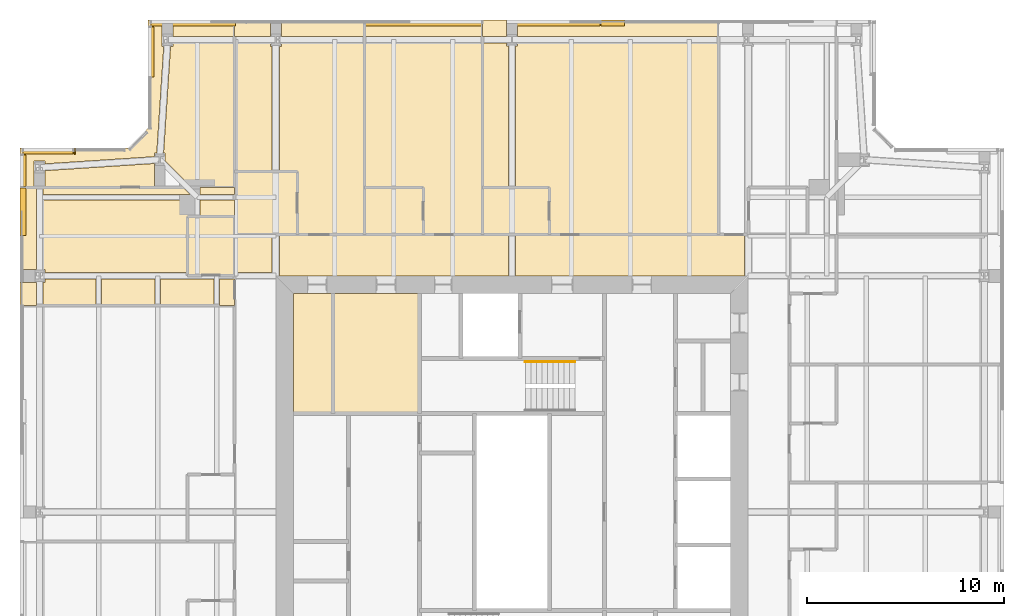
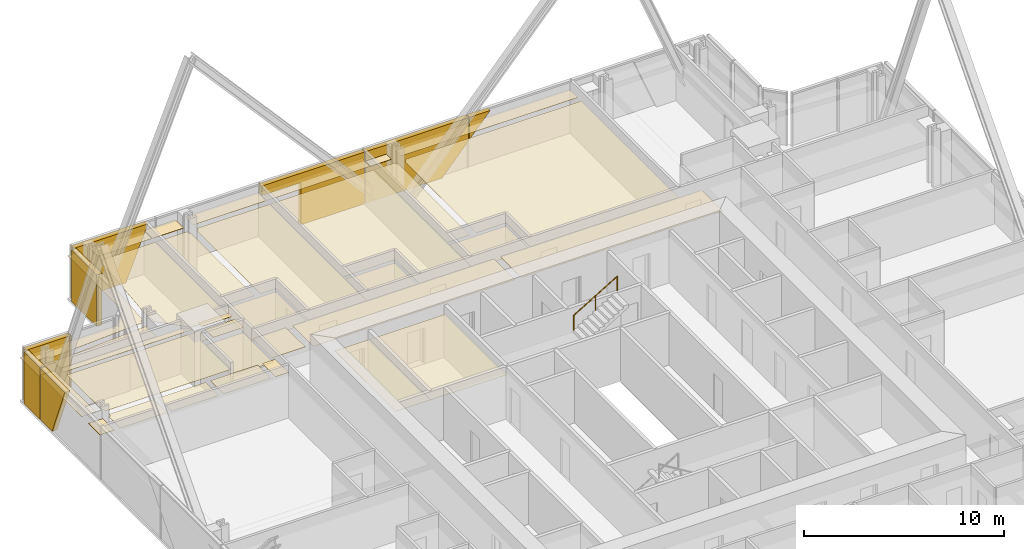
# One storey, part 19 of 20: 42 coverings, 1 railing.
"""IFC4 building model written with IfcOpenShell, lengths in metres."""

import ifcopenshell
import ifcopenshell.guid

model = None  # the IFC model being written
_history = None  # IfcOwnerHistory: only IFC2X3 demands one
_inside = {}  # id of a spatial element -> (the spatial element, [elements in it])
_under = {}  # id of a project, library or spatial element -> (it, [spatial elements below it])
_declared = {}  # id of a project -> (the project, [libraries it declares])
_typed = {}  # id of a type object -> (the type object, [elements of that type])
_made_of = {}  # id of a material, layer set ... -> (it, [elements and type objects made of it])


def new_model(schema):
    """Start an empty IFC model of exactly this schema.

    Asked for "IFC4X3", IfcOpenShell would pick the latest addendum, in which some entities
    have other attributes; the version numbers below select the first issue.
    IFC2X3 requires an IfcOwnerHistory on every rooted entity: one is made here for all.
    """
    global model, _history
    if schema == "IFC4X3":
        model = ifcopenshell.file(schema_version=(4, 3, 0, 0))
    else:
        model = ifcopenshell.file(schema=schema)
    _inside.clear()
    _under.clear()
    _declared.clear()
    _typed.clear()
    _made_of.clear()
    _history = None
    if model.schema == "IFC2X3":
        org = make("IfcOrganization", Name="unknown")
        user = make(
            "IfcPersonAndOrganization",
            ThePerson=make("IfcPerson", FamilyName="unknown"),
            TheOrganization=org,
        )
        app = make(
            "IfcApplication",
            ApplicationDeveloper=org,
            Version="unknown",
            ApplicationFullName="unknown",
            ApplicationIdentifier="unknown",
        )
        _history = make(
            "IfcOwnerHistory",
            OwningUser=user,
            OwningApplication=app,
            ChangeAction="ADDED",
            CreationDate=0,
        )
    return model


def make(cls, **values):
    """One entity of the class cls with the attributes given. An attribute that is None is left unset."""
    return model.create_entity(
        cls, **{name: value for name, value in values.items() if value is not None}
    )


def rooted(cls, **values):
    """An entity with a GlobalId (a new one), such as an element, a storey or a relation."""
    return make(cls, GlobalId=ifcopenshell.guid.new(), OwnerHistory=_history, **values)


def si_unit(unit_type, name, prefix=None):
    """IfcSIUnit, for example si_unit("LENGTHUNIT", "METRE", prefix="MILLI")."""
    return make("IfcSIUnit", UnitType=unit_type, Prefix=prefix, Name=name)


def assignment(units):
    """IfcUnitAssignment: the units of a project."""
    return None if units is None else make("IfcUnitAssignment", Units=units)


def point(xyz):
    """IfcCartesianPoint."""
    return None if xyz is None else make("IfcCartesianPoint", Coordinates=xyz)


def direction(xyz):
    """IfcDirection."""
    return None if xyz is None else make("IfcDirection", DirectionRatios=xyz)


def frame(location, z_axis=None, x_axis=None):
    """IfcAxis2Placement3D, a coordinate frame: its origin and axes. An axis left out is left unset."""
    return make(
        "IfcAxis2Placement3D",
        Location=point(location),
        Axis=direction(z_axis),
        RefDirection=direction(x_axis),
    )


def frame_2d(location, x_axis=None):
    """IfcAxis2Placement2D, a coordinate frame in the plane: its origin and x axis."""
    return make(
        "IfcAxis2Placement2D", Location=point(location), RefDirection=direction(x_axis)
    )


def origin():
    """The frame at (0, 0, 0) with its axes left unset."""
    return frame((0.0, 0.0, 0.0))


def origin_2d():
    """The frame at (0, 0) in the plane with its x axis left unset."""
    return frame_2d((0.0, 0.0))


def place(relative_to, where):
    """IfcLocalPlacement: puts the frame where relative to a parent placement (None: the world)."""
    return make(
        "IfcLocalPlacement", PlacementRelTo=relative_to, RelativePlacement=where
    )


def context(
    kind, dimensions, precision=None, world=None, true_north=None, identifier=None
):
    """IfcGeometricRepresentationContext, for example the 3D "Model" context."""
    return make(
        "IfcGeometricRepresentationContext",
        ContextIdentifier=identifier,
        ContextType=kind,
        CoordinateSpaceDimension=dimensions,
        Precision=precision,
        WorldCoordinateSystem=world,
        TrueNorth=true_north,
    )


def subcontext(parent, identifier, kind, view, scale=None):
    """IfcGeometricRepresentationSubContext, for example "Body" below "Model"."""
    return make(
        "IfcGeometricRepresentationSubContext",
        ContextIdentifier=identifier,
        ContextType=kind,
        ParentContext=parent,
        TargetScale=scale,
        TargetView=view,
    )


def project(units=None, contexts=None):
    """IfcProject with its units and contexts."""
    return rooted(
        "IfcProject",
        Name="project",
        RepresentationContexts=contexts,
        UnitsInContext=assignment(units),
    )


def spatial(cls, under=None, at=None, **own):
    """A site, building, storey or space (cls), placed at a placement, below another one or the project."""
    s = rooted(cls, ObjectPlacement=at, **own)
    if under is not None:
        _under.setdefault(under.id(), (under, []))[1].append(s)
    return s


def polyline(points):
    """IfcPolyline through the points."""
    return make("IfcPolyline", Points=[point(p) for p in points])


def profile(cls, at=None, kind="AREA", **sizes):
    """A parametric profile (cls). Its sizes go by their IFC names, for example OverallWidth=200.0."""
    return make(cls, ProfileType=kind, Position=at, **sizes)


def circle(**sizes):
    """IfcCircleProfileDef."""
    return profile("IfcCircleProfileDef", **sizes)


def outline(outer, holes=None, kind="AREA"):
    """IfcArbitraryClosedProfileDef: a profile drawn as a closed curve; with holes, ...WithVoids."""
    if holes is None:
        return make("IfcArbitraryClosedProfileDef", ProfileType=kind, OuterCurve=outer)
    return make(
        "IfcArbitraryProfileDefWithVoids",
        ProfileType=kind,
        OuterCurve=outer,
        InnerCurves=holes,
    )


def extrude(swept, where, along, depth):
    """IfcExtrudedAreaSolid: the profile swept, set in the frame where, extruded along a direction by depth."""
    return make(
        "IfcExtrudedAreaSolid",
        SweptArea=swept,
        Position=where,
        ExtrudedDirection=direction(along),
        Depth=depth,
    )


def shape(context_of_items, identifier, shape_type, items):
    """IfcShapeRepresentation: the items that make up one representation, for example the "Body"."""
    return make(
        "IfcShapeRepresentation",
        ContextOfItems=context_of_items,
        RepresentationIdentifier=identifier,
        RepresentationType=shape_type,
        Items=items,
    )


def material(Name=None, Category=None):
    """IfcMaterial."""
    return make("IfcMaterial", Name=Name, Category=Category)


def layer(
    of_material, thickness, ventilated=None, Name=None, Category=None, Priority=None
):
    """IfcMaterialLayer: one layer of a wall or slab, of a material (None: an air gap)."""
    return make(
        "IfcMaterialLayer",
        Material=of_material,
        LayerThickness=thickness,
        IsVentilated=ventilated,
        Name=Name,
        Category=Category,
        Priority=Priority,
    )


def layer_set(layers, Name=None):
    """IfcMaterialLayerSet."""
    return make("IfcMaterialLayerSet", MaterialLayers=layers, LayerSetName=Name)


def made_of(thing, what):
    """Note that an element or type object is made of a material, layer set ...; save() writes the relation."""
    if what is not None:
        _made_of.setdefault(what.id(), (what, []))[1].append(thing)
    return thing


def type_object(cls, material=None, **own):
    """A type object (cls), such as IfcWallType, which elements share."""
    return made_of(rooted(cls, **own), material)


def element(
    cls,
    number,
    at=None,
    inside=None,
    cuts=None,
    type_object=None,
    material=None,
    context=None,
    identifier="Body",
    shape_type=None,
    held_by="IfcProductDefinitionShape",
    body=None,
    shapes=None,
    **own,
):
    """One element of the class cls, such as IfcWall. Its Tag is "e" and its number.

    at: its placement. inside: the storey or other place that contains it. cuts: it is an
    opening in that element (IfcRelVoidsElement). A single representation is given by context,
    identifier, shape_type and body (its items); several are given by shapes. held_by: the class
    of the entity that holds the representations. save() writes the other relations.
    """
    e = rooted(cls, Tag="e%d" % number, ObjectPlacement=at, **own)
    if body is not None:
        shapes = [shape(context, identifier, shape_type, body)]
    if shapes is not None:
        e.Representation = make(held_by, Representations=shapes)
    if inside is not None:
        _inside.setdefault(inside.id(), (inside, []))[1].append(e)
    if cuts is not None:
        rooted(
            "IfcRelVoidsElement", RelatingBuildingElement=cuts, RelatedOpeningElement=e
        )
    if type_object is not None:
        _typed.setdefault(type_object.id(), (type_object, []))[1].append(e)
    return made_of(e, material)


def aggregate(whole, parts):
    """IfcRelAggregates: a whole, such as a stair, and the parts it consists of."""
    return rooted("IfcRelAggregates", RelatingObject=whole, RelatedObjects=parts)


def save(model, path):
    """Write the relations noted so far, then the file.

    IfcRelAggregates (storeys below a building ...), IfcRelContainedInSpatialStructure (elements
    in a storey), IfcRelDefinesByType, IfcRelAssociatesMaterial and IfcRelDeclares: one each for
    every whole, place, type object, material and project.
    """
    for whole, parts in _under.values():
        aggregate(whole, parts)
    for where, things in _inside.values():
        rooted(
            "IfcRelContainedInSpatialStructure",
            RelatedElements=things,
            RelatingStructure=where,
        )
    for kind, things in _typed.values():
        rooted("IfcRelDefinesByType", RelatedObjects=things, RelatingType=kind)
    for what, things in _made_of.values():
        rooted("IfcRelAssociatesMaterial", RelatedObjects=things, RelatingMaterial=what)
    for by, libraries in _declared.values():
        rooted("IfcRelDeclares", RelatingContext=by, RelatedDefinitions=libraries)
    model.write(path)


model = new_model("IFC4")

# Units and contexts
model_context = context("Model", 3, precision=1e-05, world=origin(), true_north=direction((0.0, 1.0)))
body_context = subcontext(model_context, "Body", "Model", "MODEL_VIEW")
ifc_project = project(units=[si_unit("LENGTHUNIT", "METRE"), si_unit("AREAUNIT", "SQUARE_METRE"), si_unit("VOLUMEUNIT", "CUBIC_METRE"), si_unit("PLANEANGLEUNIT", "RADIAN"), si_unit("MASSUNIT", "GRAM", prefix="KILO")], contexts=[model_context])

# Site, building, storey
site_placement = place(None, origin())
site = spatial("IfcSite", under=ifc_project, at=site_placement, CompositionType="ELEMENT")
building_placement = place(site_placement, origin())
building = spatial("IfcBuilding", under=site, at=building_placement, Name="Fenwick Lantern Interchange", CompositionType="ELEMENT")
storey_placement = place(building_placement, frame((0.0, 0.0, 256.0)))
storey = spatial("IfcBuildingStorey", under=building, at=storey_placement, Name="L60", CompositionType="ELEMENT", Elevation=256.0)

# Coverings
ifc_material_1 = material(Name="Granite cladding, warm grey flamed finish, on aluminium carrier frame", Category="masonry")
ifc_layer_1 = layer(ifc_material_1, 0.300048828125)
ifc_layer_set_1 = layer_set([ifc_layer_1], Name="BRACE CASING PANEL 300")
covering_type_1 = type_object("IfcCoveringType", Name="BRACE CASING PANEL 300", PredefinedType="CLADDING", material=ifc_layer_set_1)
covering_1_placement = place(storey_placement, frame((43.39990234375, 49.89990234375, 1.807373046875), z_axis=(0.0, 0.0, 1.0), x_axis=(-1.0, 0.0, 0.0)))
element("IfcCovering", 1, at=covering_1_placement, inside=storey, type_object=covering_type_1, Name="Brace casing 09 bay 02a", PredefinedType="CLADDING", context=body_context, shape_type="SweptSolid", body=[
    extrude(outline(polyline([(13.8701171875, 0.0), (13.8701171875, 1.342529296875), (12.685302734375, 1.342529296875), (13.8701171875, 0.0)])), frame((0.0, 0.2099609375, 0.0), z_axis=(0.0, -1.0, 0.0), x_axis=(1.0, 0.0, 0.0)), (0.0, 0.0, 1.0), 0.300048828125),
])
covering_2_placement = place(storey_placement, frame((43.39990234375, 49.89990234375, 0.0), z_axis=(0.0, 0.0, 1.0), x_axis=(-1.0, 0.0, 0.0)))
element("IfcCovering", 2, at=covering_2_placement, inside=storey, type_object=covering_type_1, Name="Brace casing 09 bay 03a", PredefinedType="CLADDING", context=body_context, shape_type="SweptSolid", body=[
    extrude(outline(polyline([(15.46484375, 0.0), (19.8701171875, 0.0), (19.8701171875, 3.14990234375), (13.929931640625, 3.14990234375), (13.929931640625, 1.739501953125), (15.46484375, 0.0)])), frame((0.0, 0.2099609375, 0.0), z_axis=(0.0, -1.0, 0.0), x_axis=(1.0, 0.0, 0.0)), (0.0, 0.0, 1.0), 0.300048828125),
])
covering_3_placement = place(storey_placement, frame((43.39990234375, 49.89990234375, 0.0), z_axis=(0.0, 0.0, 1.0), x_axis=(-1.0, 0.0, 0.0)))
element("IfcCovering", 3, at=covering_3_placement, inside=storey, type_object=covering_type_1, Name="Brace casing 09 bay 04a", PredefinedType="CLADDING", context=body_context, shape_type="SweptSolid", body=[
    extrude(outline(polyline([(19.929931640625, 0.0), (23.60009765625, 0.0), (23.60009765625, 2.56689453125), (25.8701171875, 2.56689453125), (25.8701171875, 3.14990234375), (19.929931640625, 3.14990234375), (19.929931640625, 0.0)])), frame((0.0, 0.2099609375, 0.0), z_axis=(0.0, -1.0, 0.0), x_axis=(1.0, 0.0, 0.0)), (0.0, 0.0, 1.0), 0.300048828125),
])
covering_4_placement = place(storey_placement, frame((43.39990234375, 49.89990234375, 0.0), z_axis=(0.0, 0.0, 1.0), x_axis=(-1.0, 0.0, 0.0)))
element("IfcCovering", 4, at=covering_4_placement, inside=storey, type_object=covering_type_1, Name="Brace casing 09 bay 06a", PredefinedType="CLADDING", context=body_context, shape_type="SweptSolid", body=[
    extrude(outline(polyline([(33.71337890625, 0.0), (36.739990234375, 0.0), (36.739990234375, 3.14990234375), (32.439453125, 3.14990234375), (33.71337890625, 0.0)])), frame((0.0, 0.2099609375, 0.0), z_axis=(0.0, -1.0, 0.0), x_axis=(1.0, 0.0, 0.0)), (0.0, 0.0, 1.0), 0.300048828125),
])
covering_5_placement = place(storey_placement, frame((6.60009765625, 49.89990234375, 0.0), z_axis=(0.0, 0.0, 1.0), x_axis=(0.0, -1.0, 0.0)))
element("IfcCovering", 5, at=covering_5_placement, inside=storey, type_object=covering_type_1, Name="Brace casing 10 bay 00a", PredefinedType="CLADDING", context=body_context, shape_type="SweptSolid", body=[
    extrude(outline(polyline([(0.260009765625, 0.0), (2.790771484375, 0.0), (2.790771484375, 3.14990234375), (0.260009765625, 3.14990234375), (0.260009765625, 0.0)])), frame((0.0, 0.2099609375, 0.0), z_axis=(0.0, -1.0, 0.0), x_axis=(1.0, 0.0, 0.0)), (0.0, 0.0, 1.0), 0.300048828125),
])
covering_6_placement = place(storey_placement, frame((5.54150390625, 43.39990234375, 0.0), z_axis=(0.0, 0.0, 1.0), x_axis=(-1.0, 0.0, 0.0)))
element("IfcCovering", 6, at=covering_6_placement, inside=storey, type_object=covering_type_1, Name="Brace casing 12 bay 00a", PredefinedType="CLADDING", context=body_context, shape_type="SweptSolid", body=[
    extrude(outline(polyline([(2.741455078125, 0.0), (2.790771484375, 0.0), (2.790771484375, 3.14990234375), (2.741455078125, 3.14990234375), (2.741455078125, 0.0)])), frame((0.0, 0.2099609375, 0.0), z_axis=(0.0, -1.0, 0.0), x_axis=(1.0, 0.0, 0.0)), (0.0, 0.0, 1.0), 0.300048828125),
])
covering_7_placement = place(storey_placement, frame((5.54150390625, 43.39990234375, 0.0), z_axis=(0.0, 0.0, 1.0), x_axis=(-1.0, 0.0, 0.0)))
element("IfcCovering", 7, at=covering_7_placement, inside=storey, type_object=covering_type_1, Name="Brace casing 12 bay 01a", PredefinedType="CLADDING", context=body_context, shape_type="SweptSolid", body=[
    extrude(outline(polyline([(2.850830078125, 0.0), (5.38134765625, 0.0), (5.38134765625, 3.14990234375), (2.850830078125, 3.14990234375), (2.850830078125, 0.0)])), frame((0.0, 0.2099609375, 0.0), z_axis=(0.0, -1.0, 0.0), x_axis=(1.0, 0.0, 0.0)), (0.0, 0.0, 1.0), 0.300048828125),
])
covering_8_placement = place(storey_placement, frame((0.10009765625, 43.39990234375, 0.0), z_axis=(0.0, 0.0, 1.0), x_axis=(0.0, -1.0, 0.0)))
element("IfcCovering", 8, at=covering_8_placement, inside=storey, type_object=covering_type_1, Name="Brace casing 13 bay 00a", PredefinedType="CLADDING", context=body_context, shape_type="SweptSolid", body=[
    extrude(outline(polyline([(0.260009765625, 0.0), (1.8701171875, 0.0), (1.8701171875, 3.14990234375), (0.260009765625, 3.14990234375), (0.260009765625, 0.0)])), frame((0.0, 0.2099609375, 0.0), z_axis=(0.0, -1.0, 0.0), x_axis=(1.0, 0.0, 0.0)), (0.0, 0.0, 1.0), 0.300048828125),
])
covering_9_placement = place(storey_placement, frame((0.10009765625, 43.39990234375, 0.0), z_axis=(0.0, 0.0, 1.0), x_axis=(0.0, -1.0, 0.0)))
element("IfcCovering", 9, at=covering_9_placement, inside=storey, type_object=covering_type_1, Name="Brace casing 13 bay 01a", PredefinedType="CLADDING", context=body_context, shape_type="SweptSolid", body=[
    extrude(outline(polyline([(1.929931640625, 0.0), (3.086669921875, 0.0), (4.360595703125, 3.14990234375), (1.929931640625, 3.14990234375), (1.929931640625, 0.0)])), frame((0.0, 0.2099609375, 0.0), z_axis=(0.0, -1.0, 0.0), x_axis=(1.0, 0.0, 0.0)), (0.0, 0.0, 1.0), 0.300048828125),
])

# Railing
ifc_material_2 = material(Name="Stainless steel handrail", Category="steel")
railing_type = type_object("IfcRailingType", Name="HANDRAIL 900", PredefinedType="HANDRAIL", material=ifc_material_2)
railing_placement = place(storey_placement, frame((25.679931640625, 32.6259765625, 1.8701171875)))
element("IfcRailing", 10, at=railing_placement, inside=storey, type_object=railing_type, Name="L60/STAIR/ST2/HR2", PredefinedType="HANDRAIL", context=body_context, shape_type="SweptSolid", body=[
    extrude(circle(Radius=0.02392578125, at=origin_2d()), frame((0.0, 0.0, 0.8759765625), z_axis=(0.854821627497, 0.0, 0.518921945155), x_axis=(0.0, 1.0, 0.0)), (0.0, 0.0, 1.0), 2.947998046875),
    extrude(circle(Radius=0.02099609375, at=origin_2d()), origin(), (0.0, 0.0, 1.0), 0.851806640625),
    extrude(circle(Radius=0.02099609375, at=origin_2d()), frame((1.260009765625, 0.0, 0.764892578125)), (0.0, 0.0, 1.0), 0.851806640625),
    extrude(circle(Radius=0.02099609375, at=origin_2d()), frame((2.52001953125, 0.0, 1.52978515625)), (0.0, 0.0, 1.0), 0.851806640625),
])

# Coverings
ifc_material_3 = material(Name="Moisture resistant gypsum board on suspended frame, painted")
ifc_layer_2 = layer(ifc_material_3, 0.014892578125)
ifc_layer_set_2 = layer_set([ifc_layer_2], Name="MOISTURE RESISTANT CEILING 15")
covering_type_2 = type_object("IfcCoveringType", Name="MOISTURE RESISTANT CEILING 15", PredefinedType="CEILING", material=ifc_layer_set_2)
covering_10_placement = place(storey_placement, frame((0.0, 0.0, 2.60009765625)))
element("IfcCovering", 11, at=covering_10_placement, inside=storey, type_object=covering_type_2, Name="Women's WC ceiling", PredefinedType="CEILING", context=body_context, shape_type="SweptSolid", body=[
    extrude(outline(polyline([(20.300048828125, 36.10009765625), (15.89990234375, 36.10009765625), (15.89990234375, 30.0), (20.300048828125, 30.0), (20.300048828125, 36.10009765625)])), origin(), (0.0, 0.0, 1.0), 0.014892578125),
])
covering_11_placement = place(storey_placement, frame((0.0, 0.0, 2.60009765625)))
element("IfcCovering", 12, at=covering_11_placement, inside=storey, type_object=covering_type_2, Name="Men's WC ceiling", PredefinedType="CEILING", context=body_context, shape_type="SweptSolid", body=[
    extrude(outline(polyline([(15.89990234375, 36.10009765625), (13.89990234375, 36.10009765625), (13.89990234375, 30.0), (15.89990234375, 30.0), (15.89990234375, 36.10009765625)])), origin(), (0.0, 0.0, 1.0), 0.014892578125),
])
covering_12_placement = place(storey_placement, frame((0.0, 0.0, 2.39990234375)))
element("IfcCovering", 13, at=covering_12_placement, inside=storey, type_object=covering_type_2, Name="En-suite 6010 ceiling", PredefinedType="CEILING", context=body_context, shape_type="SweptSolid", body=[
    extrude(outline(polyline([(26.89990234375, 41.5), (23.5, 41.5), (23.5, 39.10009765625), (26.89990234375, 39.10009765625), (26.89990234375, 41.5)])), origin(), (0.0, 0.0, 1.0), 0.01513671875),
])
covering_13_placement = place(storey_placement, frame((0.0, 0.0, 2.39990234375)))
element("IfcCovering", 14, at=covering_13_placement, inside=storey, type_object=covering_type_2, Name="En-suite 6011 ceiling", PredefinedType="CEILING", context=body_context, shape_type="SweptSolid", body=[
    extrude(outline(polyline([(20.5, 41.5), (17.5, 41.5), (17.5, 39.10009765625), (20.5, 39.10009765625), (20.5, 41.5)])), origin(), (0.0, 0.0, 1.0), 0.01513671875),
])
covering_14_placement = place(storey_placement, frame((0.0, 0.0, 2.39990234375)))
element("IfcCovering", 15, at=covering_14_placement, inside=storey, type_object=covering_type_2, Name="En-suite 6012 ceiling", PredefinedType="CEILING", context=body_context, shape_type="SweptSolid", body=[
    extrude(outline(polyline([(14.10009765625, 42.300048828125), (10.89990234375, 42.300048828125), (10.89990234375, 39.10009765625), (14.10009765625, 39.10009765625), (14.10009765625, 42.300048828125)])), origin(), (0.0, 0.0, 1.0), 0.01513671875),
])
covering_15_placement = place(storey_placement, frame((0.0, 0.0, 2.39990234375)))
element("IfcCovering", 16, at=covering_15_placement, inside=storey, type_object=covering_type_2, Name="En-suite 6013 ceiling", PredefinedType="CEILING", context=body_context, shape_type="SweptSolid", body=[
    extrude(outline(polyline([(8.5, 40.02490234375), (8.5, 37.02490234375), (10.89990234375, 37.02490234375), (10.89990234375, 40.02490234375), (8.5, 40.02490234375)])), origin(), (0.0, 0.0, 1.0), 0.01513671875),
])
ifc_material_4 = material(Name="Gypsum plasterboard on suspended frame, painted")
ifc_layer_3 = layer(ifc_material_4, 0.014892578125)
ifc_layer_set_3 = layer_set([ifc_layer_3], Name="PLASTERBOARD CEILING 15")
covering_type_3 = type_object("IfcCoveringType", Name="PLASTERBOARD CEILING 15", PredefinedType="CEILING", material=ifc_layer_set_3)
covering_16_placement = place(storey_placement, frame((0.0, 0.0, 2.57275390625)))
element("IfcCovering", 17, at=covering_16_placement, inside=storey, type_object=covering_type_3, Name="Corridor ceiling", PredefinedType="CEILING", context=body_context, shape_type="SweptSolid", body=[
    extrude(outline(polyline([(24.816162109375, 39.10009765625), (13.183837890625, 39.10009765625), (13.183837890625, 37.0), (24.816162109375, 37.0), (24.816162109375, 39.10009765625)])), origin(), (0.0, 0.0, 1.0), 0.01513671875),
])
covering_17_placement = place(storey_placement, frame((0.0, 0.0, 2.57275390625)))
element("IfcCovering", 18, at=covering_17_placement, inside=storey, type_object=covering_type_3, Name="Corridor ceiling", PredefinedType="CEILING", context=body_context, shape_type="SweptSolid", body=[
    extrude(outline(polyline([(36.816162109375, 39.10009765625), (25.183837890625, 39.10009765625), (25.183837890625, 37.0), (36.816162109375, 37.0), (36.816162109375, 39.10009765625)])), origin(), (0.0, 0.0, 1.0), 0.01513671875),
])
covering_18_placement = place(storey_placement, frame((0.0, 0.0, 2.57275390625)))
element("IfcCovering", 19, at=covering_18_placement, inside=storey, type_object=covering_type_3, Name="Corridor ceiling", PredefinedType="CEILING", context=body_context, shape_type="SweptSolid", body=[
    extrude(outline(polyline([(12.816162109375, 39.10009765625), (10.89990234375, 39.10009765625), (10.89990234375, 37.166015625), (12.816162109375, 37.166015625), (12.816162109375, 39.10009765625)])), origin(), (0.0, 0.0, 1.0), 0.01513671875),
])
covering_19_placement = place(storey_placement, frame((0.0, 0.0, 2.57275390625)))
element("IfcCovering", 20, at=covering_19_placement, inside=storey, type_object=covering_type_3, Name="Guest suite 6010 ceiling", PredefinedType="CEILING", context=body_context, shape_type="SweptSolid", body=[
    extrude(outline(polyline([(25.27099609375, 48.6845703125), (25.183837890625, 48.6845703125), (25.183837890625, 41.5), (26.89990234375, 41.5), (26.89990234375, 39.10009765625), (35.5, 39.10009765625), (35.5, 48.82763671875), (25.27099609375, 48.82763671875), (25.27099609375, 48.6845703125)])), origin(), (0.0, 0.0, 1.0), 0.01513671875),
])
covering_20_placement = place(storey_placement, frame((0.0, 0.0, 2.57275390625)))
element("IfcCovering", 21, at=covering_20_placement, inside=storey, type_object=covering_type_3, Name="Guest suite 6010 ceiling", PredefinedType="CEILING", context=body_context, shape_type="SweptSolid", body=[
    extrude(outline(polyline([(24.72900390625, 48.6845703125), (24.72900390625, 48.82763671875), (23.5, 48.82763671875), (23.5, 41.5), (24.816162109375, 41.5), (24.816162109375, 48.6845703125), (24.72900390625, 48.6845703125)])), origin(), (0.0, 0.0, 1.0), 0.01513671875),
])
covering_21_placement = place(storey_placement, frame((0.0, 0.0, 2.57275390625)))
element("IfcCovering", 22, at=covering_21_placement, inside=storey, type_object=covering_type_3, Name="Guest suite 6010 ceiling", PredefinedType="CEILING", context=body_context, shape_type="SweptSolid", body=[
    extrude(outline(polyline([(25.27099609375, 50.0), (25.27099609375, 49.17236328125), (35.5, 49.17236328125), (35.5, 50.0), (25.27099609375, 50.0)])), origin(), (0.0, 0.0, 1.0), 0.01513671875),
])
covering_22_placement = place(storey_placement, frame((0.0, 0.0, 2.57275390625)))
element("IfcCovering", 23, at=covering_22_placement, inside=storey, type_object=covering_type_3, Name="Guest suite 6010 ceiling", PredefinedType="CEILING", context=body_context, shape_type="SweptSolid", body=[
    extrude(outline(polyline([(24.72900390625, 49.17236328125), (24.72900390625, 50.0), (23.5, 50.0), (23.5, 49.17236328125), (24.72900390625, 49.17236328125)])), origin(), (0.0, 0.0, 1.0), 0.01513671875),
])
covering_23_placement = place(storey_placement, frame((0.0, 0.0, 2.57275390625)))
element("IfcCovering", 24, at=covering_23_placement, inside=storey, type_object=covering_type_3, Name="Guest room 6011 ceiling", PredefinedType="CEILING", context=body_context, shape_type="SweptSolid", body=[
    extrude(outline(polyline([(23.5, 39.10009765625), (23.5, 48.82763671875), (17.5, 48.82763671875), (17.5, 41.5), (20.5, 41.5), (20.5, 39.10009765625), (23.5, 39.10009765625)])), origin(), (0.0, 0.0, 1.0), 0.01513671875),
])
covering_24_placement = place(storey_placement, frame((0.0, 0.0, 2.57275390625)))
element("IfcCovering", 25, at=covering_24_placement, inside=storey, type_object=covering_type_3, Name="Guest room 6011 ceiling", PredefinedType="CEILING", context=body_context, shape_type="SweptSolid", body=[
    extrude(outline(polyline([(23.5, 50.0), (17.5, 50.0), (17.5, 49.17236328125), (23.5, 49.17236328125), (23.5, 50.0)])), origin(), (0.0, 0.0, 1.0), 0.01513671875),
])
covering_25_placement = place(storey_placement, frame((0.0, 0.0, 2.57275390625)))
element("IfcCovering", 26, at=covering_25_placement, inside=storey, type_object=covering_type_3, Name="Guest room 6012 ceiling", PredefinedType="CEILING", context=body_context, shape_type="SweptSolid", body=[
    extrude(outline(polyline([(13.27734375, 48.66552734375), (13.183837890625, 48.66552734375), (13.183837890625, 42.300048828125), (14.10009765625, 42.300048828125), (14.10009765625, 39.10009765625), (17.5, 39.10009765625), (17.5, 48.82763671875), (13.27734375, 48.82763671875), (13.27734375, 48.66552734375)])), origin(), (0.0, 0.0, 1.0), 0.01513671875),
])
covering_26_placement = place(storey_placement, frame((0.0, 0.0, 2.57275390625)))
element("IfcCovering", 27, at=covering_26_placement, inside=storey, type_object=covering_type_3, Name="Guest room 6012 ceiling", PredefinedType="CEILING", context=body_context, shape_type="SweptSolid", body=[
    extrude(outline(polyline([(12.72265625, 48.66552734375), (12.72265625, 48.82763671875), (10.89990234375, 48.82763671875), (10.89990234375, 42.300048828125), (12.816162109375, 42.300048828125), (12.816162109375, 48.66552734375), (12.72265625, 48.66552734375)])), origin(), (0.0, 0.0, 1.0), 0.01513671875),
])
covering_27_placement = place(storey_placement, frame((0.0, 0.0, 2.57275390625)))
element("IfcCovering", 28, at=covering_27_placement, inside=storey, type_object=covering_type_3, Name="Guest room 6012 ceiling", PredefinedType="CEILING", context=body_context, shape_type="SweptSolid", body=[
    extrude(outline(polyline([(13.27734375, 50.0), (13.27734375, 49.17236328125), (17.5, 49.17236328125), (17.5, 50.0), (13.27734375, 50.0)])), origin(), (0.0, 0.0, 1.0), 0.01513671875),
])
covering_28_placement = place(storey_placement, frame((0.0, 0.0, 2.57275390625)))
element("IfcCovering", 29, at=covering_28_placement, inside=storey, type_object=covering_type_3, Name="Guest room 6012 ceiling", PredefinedType="CEILING", context=body_context, shape_type="SweptSolid", body=[
    extrude(outline(polyline([(12.72265625, 49.17236328125), (12.72265625, 50.0), (10.89990234375, 50.0), (10.89990234375, 49.17236328125), (12.72265625, 49.17236328125)])), origin(), (0.0, 0.0, 1.0), 0.01513671875),
])
covering_29_placement = place(storey_placement, frame((0.0, 0.0, 2.57275390625)))
element("IfcCovering", 30, at=covering_29_placement, inside=storey, type_object=covering_type_3, Name="Guest suite 6013 sitting room ceiling", PredefinedType="CEILING", context=body_context, shape_type="SweptSolid", body=[
    extrude(outline(polyline([(7.77734375, 48.66552734375), (7.65087890625, 48.66552734375), (7.294677734375, 43.234375), (7.37744140625, 43.234375), (7.37744140625, 42.839599609375), (8.716796875, 41.5), (10.89990234375, 41.5), (10.89990234375, 48.82763671875), (7.77734375, 48.82763671875), (7.77734375, 48.66552734375)])), origin(), (0.0, 0.0, 1.0), 0.01513671875),
])
covering_30_placement = place(storey_placement, frame((0.0, 0.0, 2.57275390625)))
element("IfcCovering", 31, at=covering_30_placement, inside=storey, type_object=covering_type_3, Name="Guest suite 6013 sitting room ceiling", PredefinedType="CEILING", context=body_context, shape_type="SweptSolid", body=[
    extrude(outline(polyline([(7.22265625, 48.66552734375), (7.22265625, 50.0), (6.5, 50.0), (6.5, 44.5), (5.5, 43.5), (0.0, 43.5), (0.0, 41.5), (0.72265625, 41.5), (0.72265625, 42.83447265625), (1.27734375, 42.83447265625), (1.27734375, 42.69091796875), (6.82275390625, 43.0546875), (6.82275390625, 43.234375), (6.94921875, 43.234375), (7.30517578125, 48.66552734375), (7.22265625, 48.66552734375)])), origin(), (0.0, 0.0, 1.0), 0.01513671875),
])
covering_31_placement = place(storey_placement, frame((0.0, 0.0, 2.57275390625)))
element("IfcCovering", 32, at=covering_31_placement, inside=storey, type_object=covering_type_3, Name="Guest suite 6013 sitting room ceiling", PredefinedType="CEILING", context=body_context, shape_type="SweptSolid", body=[
    extrude(outline(polyline([(6.82275390625, 41.5), (6.82275390625, 42.708984375), (1.27734375, 42.345458984375), (1.27734375, 41.5), (6.82275390625, 41.5)])), origin(), (0.0, 0.0, 1.0), 0.01513671875),
])
covering_32_placement = place(storey_placement, frame((0.0, 0.0, 2.57275390625)))
element("IfcCovering", 33, at=covering_32_placement, inside=storey, type_object=covering_type_3, Name="Guest suite 6013 sitting room ceiling", PredefinedType="CEILING", context=body_context, shape_type="SweptSolid", body=[
    extrude(outline(polyline([(7.77734375, 50.0), (7.77734375, 49.17236328125), (10.89990234375, 49.17236328125), (10.89990234375, 50.0), (7.77734375, 50.0)])), origin(), (0.0, 0.0, 1.0), 0.01513671875),
])
covering_33_placement = place(storey_placement, frame((0.0, 0.0, 2.699951171875)))
element("IfcCovering", 34, at=covering_33_placement, inside=storey, type_object=covering_type_3, Name="Guest suite 6013 bedroom ceiling", PredefinedType="CEILING", context=body_context, shape_type="SweptSolid", body=[
    extrude(outline(polyline([(1.27734375, 37.33447265625), (1.27734375, 37.166015625), (8.5, 37.166015625), (8.5, 40.02490234375), (8.865478515625, 40.02490234375), (8.865478515625, 40.865478515625), (1.17236328125, 40.865478515625), (1.17236328125, 37.33447265625), (1.27734375, 37.33447265625)])), origin(), (0.0, 0.0, 1.0), 0.01513671875),
])
covering_34_placement = place(storey_placement, frame((0.0, 0.0, 2.699951171875)))
element("IfcCovering", 35, at=covering_34_placement, inside=storey, type_object=covering_type_3, Name="Guest suite 6013 bedroom ceiling", PredefinedType="CEILING", context=body_context, shape_type="SweptSolid", body=[
    extrude(outline(polyline([(4.134521484375, 35.5), (6.865478515625, 35.5), (6.865478515625, 36.833984375), (4.134521484375, 36.833984375), (4.134521484375, 35.5)])), origin(), (0.0, 0.0, 1.0), 0.01513671875),
])
covering_35_placement = place(storey_placement, frame((0.0, 0.0, 2.699951171875)))
element("IfcCovering", 36, at=covering_35_placement, inside=storey, type_object=covering_type_3, Name="Guest suite 6013 bedroom ceiling", PredefinedType="CEILING", context=body_context, shape_type="SweptSolid", body=[
    extrude(outline(polyline([(7.134521484375, 35.5), (9.865478515625, 35.5), (9.865478515625, 36.833984375), (7.134521484375, 36.833984375), (7.134521484375, 35.5)])), origin(), (0.0, 0.0, 1.0), 0.01513671875),
])
covering_36_placement = place(storey_placement, frame((0.0, 0.0, 2.699951171875)))
element("IfcCovering", 37, at=covering_36_placement, inside=storey, type_object=covering_type_3, Name="Guest suite 6013 bedroom ceiling", PredefinedType="CEILING", context=body_context, shape_type="SweptSolid", body=[
    extrude(outline(polyline([(1.27734375, 36.66552734375), (1.17236328125, 36.66552734375), (1.17236328125, 35.5), (3.865478515625, 35.5), (3.865478515625, 36.833984375), (1.27734375, 36.833984375), (1.27734375, 36.66552734375)])), origin(), (0.0, 0.0, 1.0), 0.01513671875),
])
covering_37_placement = place(storey_placement, frame((0.0, 0.0, 2.699951171875)))
element("IfcCovering", 38, at=covering_37_placement, inside=storey, type_object=covering_type_3, Name="Guest suite 6013 bedroom ceiling", PredefinedType="CEILING", context=body_context, shape_type="SweptSolid", body=[
    extrude(outline(polyline([(0.0, 37.33447265625), (0.82763671875, 37.33447265625), (0.82763671875, 41.5), (0.0, 41.5), (0.0, 37.33447265625)])), origin(), (0.0, 0.0, 1.0), 0.01513671875),
])
covering_38_placement = place(storey_placement, frame((0.0, 0.0, 2.699951171875)))
element("IfcCovering", 39, at=covering_38_placement, inside=storey, type_object=covering_type_3, Name="Guest suite 6013 bedroom ceiling", PredefinedType="CEILING", context=body_context, shape_type="SweptSolid", body=[
    extrude(outline(polyline([(8.283203125, 41.5), (1.17236328125, 41.5), (1.17236328125, 41.134521484375), (8.648681640625, 41.134521484375), (8.283203125, 41.5)])), origin(), (0.0, 0.0, 1.0), 0.01513671875),
])
covering_39_placement = place(storey_placement, frame((0.0, 0.0, 2.699951171875)))
element("IfcCovering", 40, at=covering_39_placement, inside=storey, type_object=covering_type_3, Name="Guest suite 6013 bedroom ceiling", PredefinedType="CEILING", context=body_context, shape_type="SweptSolid", body=[
    extrude(outline(polyline([(10.89990234375, 40.02490234375), (10.89990234375, 40.865478515625), (9.134521484375, 40.865478515625), (9.134521484375, 40.02490234375), (10.89990234375, 40.02490234375)])), origin(), (0.0, 0.0, 1.0), 0.01513671875),
])
covering_40_placement = place(storey_placement, frame((0.0, 0.0, 2.699951171875)))
element("IfcCovering", 41, at=covering_40_placement, inside=storey, type_object=covering_type_3, Name="Guest suite 6013 bedroom ceiling", PredefinedType="CEILING", context=body_context, shape_type="SweptSolid", body=[
    extrude(outline(polyline([(10.89990234375, 35.5), (10.89990234375, 36.833984375), (10.134521484375, 36.833984375), (10.134521484375, 35.5), (10.89990234375, 35.5)])), origin(), (0.0, 0.0, 1.0), 0.01513671875),
])
covering_41_placement = place(storey_placement, frame((0.0, 0.0, 2.699951171875)))
element("IfcCovering", 42, at=covering_41_placement, inside=storey, type_object=covering_type_3, Name="Guest suite 6013 bedroom ceiling", PredefinedType="CEILING", context=body_context, shape_type="SweptSolid", body=[
    extrude(outline(polyline([(0.0, 36.66552734375), (0.0, 35.5), (0.82763671875, 35.5), (0.82763671875, 36.66552734375), (0.0, 36.66552734375)])), origin(), (0.0, 0.0, 1.0), 0.01513671875),
])
covering_42_placement = place(storey_placement, frame((0.0, 0.0, 2.699951171875)))
element("IfcCovering", 43, at=covering_42_placement, inside=storey, type_object=covering_type_3, Name="Guest suite 6013 bedroom ceiling", PredefinedType="CEILING", context=body_context, shape_type="SweptSolid", body=[
    extrude(outline(polyline([(10.89990234375, 41.5), (9.134521484375, 41.5), (9.134521484375, 41.134521484375), (10.89990234375, 41.134521484375), (10.89990234375, 41.5)])), origin(), (0.0, 0.0, 1.0), 0.01513671875),
])

save(model, "model.ifc")
